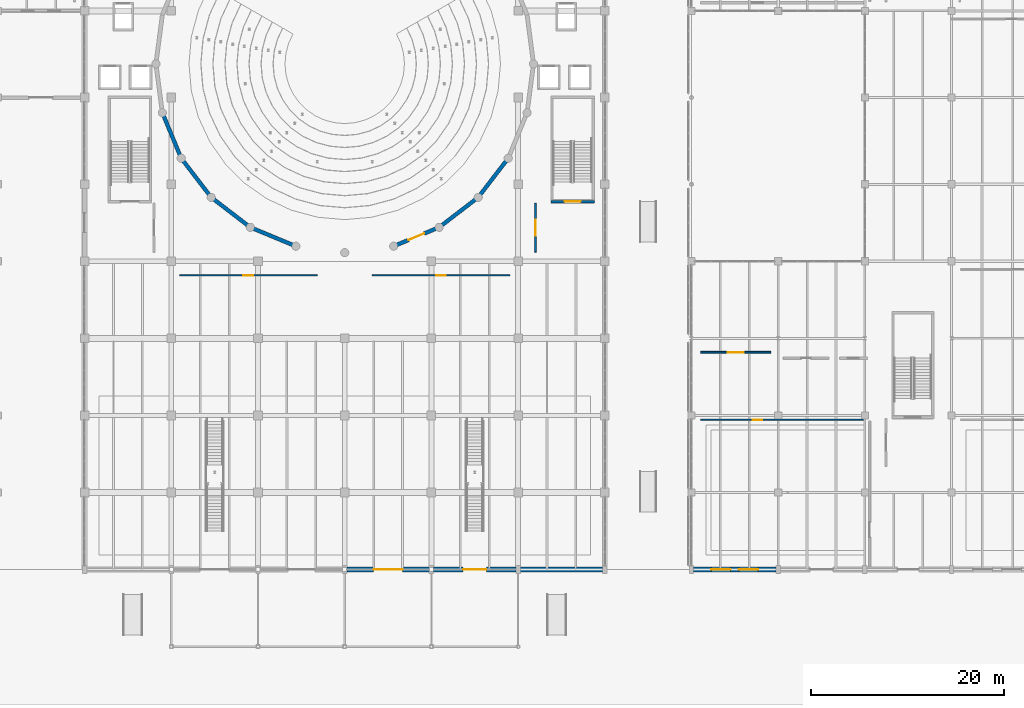
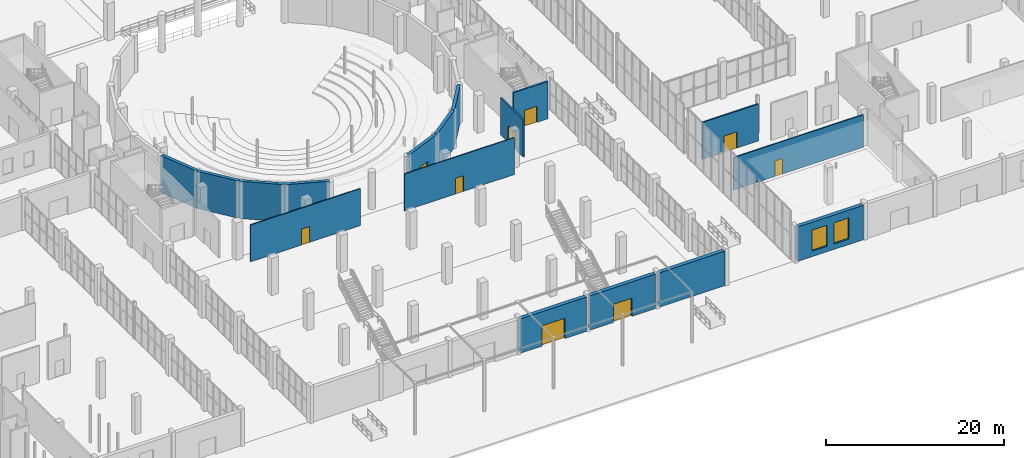
# One storey, part 83 of 103: 17 walls, 9 doors, 2 windows, 11 openings.
"""IFC4 building model written with IfcOpenShell, lengths in metres."""

from ifc_helpers import new_model, si_unit, direction, frame, frame_2d, origin, place, context, subcontext, project, spatial, rectangle, extrude, material, layer, layer_set, type_object, element, fill, save


model = new_model("IFC4")

# Units and contexts
model_context = context("Model", 3, precision=1e-05, world=origin(), true_north=direction((0.0, 1.0)))
body_context = subcontext(model_context, "Body", "Model", "MODEL_VIEW")
ifc_project = project(units=[si_unit("LENGTHUNIT", "METRE"), si_unit("AREAUNIT", "SQUARE_METRE"), si_unit("VOLUMEUNIT", "CUBIC_METRE"), si_unit("PLANEANGLEUNIT", "RADIAN"), si_unit("MASSUNIT", "GRAM", prefix="KILO")], contexts=[model_context])

# Site, building, storey
site_placement = place(None, origin())
site = spatial("IfcSite", under=ifc_project, at=site_placement, CompositionType="ELEMENT")
building_placement = place(site_placement, origin())
building = spatial("IfcBuilding", under=site, at=building_placement, Name="Marnock Terrace Opera House", CompositionType="ELEMENT")
storey_placement = place(building_placement, origin())
storey = spatial("IfcBuildingStorey", under=building, at=storey_placement, Name="L00", CompositionType="ELEMENT", Elevation=0.0)

# Wall, opening, door
ifc_material_1 = material(Name="Carey Gully rusticated stone masonry", Category="masonry")
ifc_layer_1 = layer(ifc_material_1, 0.47998046875)
ifc_layer_set_1 = layer_set([ifc_layer_1], Name="Carey Gully rusticated stone masonry")
wall_type_1 = type_object("IfcWallType", Name="EW-BASE-480", PredefinedType="SOLIDWALL", material=ifc_layer_set_1)
wall_1_placement = place(storey_placement, frame((90.779052734375, 8.0, 0.0), z_axis=(0.0, 0.0, 1.0), x_axis=(-1.0, 0.0, 0.0)))
wall_1 = element("IfcWall", 1, at=wall_1_placement, inside=storey, type_object=wall_type_1, Name="L00 Grand Hall south sandstone arcade bay 4", PredefinedType="SOLIDWALL", context=body_context, shape_type="SweptSolid", body=[
    extrude(rectangle(XDim=8.55810546875, YDim=0.47998046875, at=frame_2d((4.279052734375, 0.0))), origin(), (0.0, 0.0, 1.0), 4.7314453125),
])
opening_1_placement = place(wall_1_placement, frame((2.779052734375, 0.0, 0.0)))
opening_1 = element("IfcOpeningElement", 2, at=opening_1_placement, cuts=wall_1, Name="Opening ED-03", PredefinedType="OPENING", context=body_context, shape_type="SweptSolid", body=[
    extrude(rectangle(XDim=3.0, YDim=2.800048828125, at=frame_2d((1.5, 1.39990234375))), frame((0.0, 0.25, 0.0), z_axis=(0.0, -1.0, 0.0), x_axis=(1.0, 0.0, 0.0)), (0.0, 0.0, 1.0), 0.5),
])
ifc_material_2 = material(Name="Architectural cast bronze")
door_type_1 = type_object("IfcDoorType", Name="DT-PORTAL-3000", OperationType="NOTDEFINED", PredefinedType="DOOR", material=ifc_material_2)
door_1_placement = place(opening_1_placement, origin())
door_1 = element("IfcDoor", 3, at=door_1_placement, inside=storey, type_object=door_type_1, Name="Exterior door ED-03", OperationType="DOUBLE_DOOR_SINGLE_SWING", OverallHeight=2.800048828125, OverallWidth=3.0, PredefinedType="DOOR", context=body_context, shape_type="SweptSolid", body=[
    extrude(rectangle(XDim=3.0, YDim=2.800048828125, at=frame_2d((1.5, 1.39990234375))), frame((0.0, 0.02490234375, 0.0), z_axis=(0.0, -1.0, 0.0), x_axis=(1.0, 0.0, 0.0)), (0.0, 0.0, 1.0), 0.050048828125),
])
fill(opening_1, door_1)

wall_2_placement = place(storey_placement, frame((99.779052734375, 8.0, 0.0), z_axis=(0.0, 0.0, 1.0), x_axis=(-1.0, 0.0, 0.0)))
wall_2 = element("IfcWall", 4, at=wall_2_placement, inside=storey, type_object=wall_type_1, Name="L00 Grand Hall south sandstone arcade bay 5", PredefinedType="SOLIDWALL", context=body_context, shape_type="SweptSolid", body=[
    extrude(rectangle(XDim=8.55810546875, YDim=0.47998046875, at=frame_2d((4.279052734375, 0.0))), origin(), (0.0, 0.0, 1.0), 4.7314453125),
])
opening_2_placement = place(wall_2_placement, frame((3.0791015625, 0.0, 0.0)))
opening_2 = element("IfcOpeningElement", 5, at=opening_2_placement, cuts=wall_2, Name="Opening ED-04", PredefinedType="OPENING", context=body_context, shape_type="SweptSolid", body=[
    extrude(rectangle(XDim=2.39990234375, YDim=2.5, at=frame_2d((1.199951171875, 1.25))), frame((0.0, 0.25, 0.0), z_axis=(0.0, -1.0, 0.0), x_axis=(1.0, 0.0, 0.0)), (0.0, 0.0, 1.0), 0.5),
])
ifc_material_3 = material(Name="Anodised architectural bronze aluminium framing", Category="aluminium")
door_type_2 = type_object("IfcDoorType", Name="DT-EXIT-2400", OperationType="NOTDEFINED", PredefinedType="DOOR", material=ifc_material_3)
door_2_placement = place(opening_2_placement, origin())
door_2 = element("IfcDoor", 6, at=door_2_placement, inside=storey, type_object=door_type_2, Name="Exterior door ED-04", OperationType="DOUBLE_DOOR_SINGLE_SWING", OverallHeight=2.5, OverallWidth=2.39990234375, PredefinedType="DOOR", context=body_context, shape_type="SweptSolid", body=[
    extrude(rectangle(XDim=2.39990234375, YDim=2.5, at=frame_2d((1.199951171875, 1.25))), frame((0.0, 0.02490234375, 0.0), z_axis=(0.0, -1.0, 0.0), x_axis=(1.0, 0.0, 0.0)), (0.0, 0.0, 1.0), 0.050048828125),
])
fill(opening_2, door_2)

# Wall
wall_3_placement = place(storey_placement, frame((100.220947265625, 8.0, 0.0), z_axis=(0.0, 0.0, 1.0), x_axis=(1.0, 0.0, 0.0)))
element("IfcWall", 7, at=wall_3_placement, inside=storey, type_object=wall_type_1, Name="L00 Grand Hall south sandstone arcade bay 6", PredefinedType="SOLIDWALL", context=body_context, shape_type="SweptSolid", body=[
    extrude(rectangle(XDim=8.55810546875, YDim=0.47998046875, at=frame_2d((4.279052734375, 0.0))), origin(), (0.0, 0.0, 1.0), 4.7314453125),
])

# Wall, openings, windows
wall_4_placement = place(storey_placement, frame((118.220947265625, 8.0, 0.0), z_axis=(0.0, 0.0, 1.0), x_axis=(1.0, 0.0, 0.0)))
wall_4 = element("IfcWall", 8, at=wall_4_placement, inside=storey, type_object=wall_type_1, Name="L00 Volume 5 south sandstone facade 1", PredefinedType="SOLIDWALL", context=body_context, shape_type="SweptSolid", body=[
    extrude(rectangle(XDim=8.55810546875, YDim=0.47998046875, at=frame_2d((4.279052734375, 0.0))), origin(), (0.0, 0.0, 1.0), 4.7314453125),
])
opening_3_placement = place(wall_4_placement, frame((1.852783203125, 0.0, 0.75)))
opening_3 = element("IfcOpeningElement", 9, at=opening_3_placement, cuts=wall_4, Name="Opening WT-59", PredefinedType="OPENING", context=body_context, shape_type="SweptSolid", body=[
    extrude(rectangle(XDim=2.0, YDim=2.89990234375, at=frame_2d((1.0, 1.449951171875))), frame((0.0, 0.25, 0.0), z_axis=(0.0, -1.0, 0.0), x_axis=(1.0, 0.0, 0.0)), (0.0, 0.0, 1.0), 0.5),
])
opening_4_placement = place(wall_4_placement, frame((4.705322265625, 0.0, 0.75)))
opening_4 = element("IfcOpeningElement", 10, at=opening_4_placement, cuts=wall_4, Name="Opening WT-59", PredefinedType="OPENING", context=body_context, shape_type="SweptSolid", body=[
    extrude(rectangle(XDim=2.0, YDim=2.89990234375, at=frame_2d((1.0, 1.449951171875))), frame((0.0, 0.25, 0.0), z_axis=(0.0, -1.0, 0.0), x_axis=(1.0, 0.0, 0.0)), (0.0, 0.0, 1.0), 0.5),
])
ifc_material_4 = material(Name="Double-glazed acoustic low-E laminated glass", Category="glass")
window_type = type_object("IfcWindowType", Name="WT-ARCH-2000", PartitioningType="DOUBLE_PANEL_VERTICAL", PredefinedType="WINDOW", material=ifc_material_4)
window_1_placement = place(opening_3_placement, origin())
window_1 = element("IfcWindow", 11, at=window_1_placement, inside=storey, type_object=window_type, Name="L00 facade window EW-V5S-L00-1.1", OverallHeight=2.89990234375, OverallWidth=2.0, PartitioningType="SINGLE_PANEL", PredefinedType="WINDOW", context=body_context, shape_type="SweptSolid", body=[
    extrude(rectangle(XDim=2.0, YDim=2.89990234375, at=frame_2d((1.0, 1.449951171875))), frame((0.0, 0.030029296875, 0.0), z_axis=(0.0, -1.0, 0.0), x_axis=(1.0, 0.0, 0.0)), (0.0, 0.0, 1.0), 0.06005859375),
])
fill(opening_3, window_1)
window_2_placement = place(opening_4_placement, origin())
window_2 = element("IfcWindow", 12, at=window_2_placement, inside=storey, type_object=window_type, Name="L00 facade window EW-V5S-L00-1.2", OverallHeight=2.89990234375, OverallWidth=2.0, PartitioningType="SINGLE_PANEL", PredefinedType="WINDOW", context=body_context, shape_type="SweptSolid", body=[
    extrude(rectangle(XDim=2.0, YDim=2.89990234375, at=frame_2d((1.0, 1.449951171875))), frame((0.0, 0.030029296875, 0.0), z_axis=(0.0, -1.0, 0.0), x_axis=(1.0, 0.0, 0.0)), (0.0, 0.0, 1.0), 0.06005859375),
])
fill(opening_4, window_2)

# Wall, opening, door
ifc_material_5 = material(Name="Rendered acoustic concrete blockwork", Category="masonry")
ifc_layer_2 = layer(ifc_material_5, 0.18505859375)
ifc_layer_set_2 = layer_set([ifc_layer_2], Name="Rendered acoustic concrete blockwork")
wall_type_2 = type_object("IfcWallType", Name="IW-FIRE-185", PredefinedType="PARTITIONING", material=ifc_layer_set_2)
wall_5_placement = place(storey_placement, frame((101.800048828125, 40.949951171875, 0.0), z_axis=(0.0, 0.0, 1.0), x_axis=(0.0, 1.0, 0.0)))
wall_5 = element("IfcWall", 13, at=wall_5_placement, inside=storey, type_object=wall_type_2, Name="L00 C2 fire-rated lift and stair lobby wall", PredefinedType="PARTITIONING", context=body_context, shape_type="SweptSolid", body=[
    extrude(rectangle(XDim=5.10009765625, YDim=0.18505859375, at=frame_2d((2.550048828125, 0.0))), origin(), (0.0, 0.0, 1.0), 5.070068359375),
])
opening_5_placement = place(wall_5_placement, frame((1.7099609375, 0.0, 0.0)))
opening_5 = element("IfcOpeningElement", 14, at=opening_5_placement, cuts=wall_5, Name="Opening FD-C2-L00", PredefinedType="OPENING", context=body_context, shape_type="SweptSolid", body=[
    extrude(rectangle(XDim=1.679931640625, YDim=2.25, at=frame_2d((0.83984375, 1.125))), frame((0.0, 0.1025390625, 0.0), z_axis=(0.0, -1.0, 0.0), x_axis=(1.0, 0.0, 0.0)), (0.0, 0.0, 1.0), 0.205078125),
])
ifc_material_6 = material(Name="Fire-rated acoustic timber-core door assembly", Category="wood")
door_type_3 = type_object("IfcDoorType", Name="DT-LOBBY-1680", OperationType="NOTDEFINED", PredefinedType="DOOR", material=ifc_material_6)
door_3_placement = place(opening_5_placement, origin())
door_3 = element("IfcDoor", 15, at=door_3_placement, inside=storey, type_object=door_type_3, Name="L00 C2 lobby self-closing smoke door", OperationType="SINGLE_SWING_RIGHT", OverallHeight=2.25, OverallWidth=1.679931640625, PredefinedType="DOOR", context=body_context, shape_type="SweptSolid", body=[
    extrude(rectangle(XDim=1.679931640625, YDim=2.25, at=frame_2d((0.83984375, 1.125))), frame((0.0, 0.02490234375, 0.0), z_axis=(0.0, -1.0, 0.0), x_axis=(1.0, 0.0, 0.0)), (0.0, 0.0, 1.0), 0.050048828125),
])
fill(opening_5, door_3)

wall_6_placement = place(storey_placement, frame((118.949951171875, 30.550048828125, 0.0), z_axis=(0.0, 0.0, 1.0), x_axis=(1.0, 0.0, 0.0)))
wall_6 = element("IfcWall", 16, at=wall_6_placement, inside=storey, type_object=wall_type_2, Name="L00 Fire Control Centre acoustic partition wall", PredefinedType="PARTITIONING", context=body_context, shape_type="SweptSolid", body=[
    extrude(rectangle(XDim=7.300048828125, YDim=0.18505859375, at=frame_2d((3.64990234375, 0.0))), origin(), (0.0, 0.0, 1.0), 5.070068359375),
])
opening_6_placement = place(wall_6_placement, frame((2.800048828125, 0.0, 0.0)))
opening_6 = element("IfcOpeningElement", 17, at=opening_6_placement, cuts=wall_6, Name="Opening D-L00-25", PredefinedType="OPENING", context=body_context, shape_type="SweptSolid", body=[
    extrude(rectangle(XDim=1.699951171875, YDim=2.25, at=frame_2d((0.85009765625, 1.125))), frame((0.0, 0.1025390625, 0.0), z_axis=(0.0, -1.0, 0.0), x_axis=(1.0, 0.0, 0.0)), (0.0, 0.0, 1.0), 0.205078125),
])
door_type_4 = type_object("IfcDoorType", Name="DT-PLANT-1700", OperationType="NOTDEFINED", PredefinedType="DOOR", material=ifc_material_6)
door_4_placement = place(opening_6_placement, origin())
door_4 = element("IfcDoor", 18, at=door_4_placement, inside=storey, type_object=door_type_4, Name="L00 Fire Control Centre entrance door", OperationType="SINGLE_SWING_RIGHT", OverallHeight=2.25, OverallWidth=1.699951171875, PredefinedType="DOOR", context=body_context, shape_type="SweptSolid", body=[
    extrude(rectangle(XDim=1.699951171875, YDim=2.25, at=frame_2d((0.85009765625, 1.125))), frame((0.0, 0.02490234375, 0.0), z_axis=(0.0, -1.0, 0.0), x_axis=(1.0, 0.0, 0.0)), (0.0, 0.0, 1.0), 0.050048828125),
])
fill(opening_6, door_4)

ifc_material_7 = material(Name="Double-stud acoustic plasterboard with mineral-wool infill")
ifc_layer_3 = layer(ifc_material_7, 0.1279296875)
ifc_layer_set_3 = layer_set([ifc_layer_3], Name="Double-stud acoustic plasterboard with mineral-wool infill")
wall_type_3 = type_object("IfcWallType", Name="IW-PART-128", PredefinedType="PARTITIONING", material=ifc_layer_set_3)
wall_7_placement = place(storey_placement, frame((84.85009765625, 38.550048828125, 0.0), z_axis=(0.0, 0.0, 1.0), x_axis=(1.0, 0.0, 0.0)))
wall_7 = element("IfcWall", 19, at=wall_7_placement, inside=storey, type_object=wall_type_3, Name="L00 Main Cloakroom acoustic partition wall", PredefinedType="PARTITIONING", context=body_context, shape_type="SweptSolid", body=[
    extrude(rectangle(XDim=14.2998046875, YDim=0.1279296875, at=frame_2d((7.14990234375, 0.0))), origin(), (0.0, 0.0, 1.0), 5.070068359375),
])
opening_7_placement = place(wall_7_placement, frame((6.64990234375, 0.0, 0.0)))
opening_7 = element("IfcOpeningElement", 20, at=opening_7_placement, cuts=wall_7, Name="Opening D-L00-03", PredefinedType="OPENING", context=body_context, shape_type="SweptSolid", body=[
    extrude(rectangle(XDim=1.0, YDim=2.14990234375, at=frame_2d((0.5, 1.074951171875))), frame((0.0, 0.073974609375, 0.0), z_axis=(0.0, -1.0, 0.0), x_axis=(1.0, 0.0, 0.0)), (0.0, 0.0, 1.0), 0.14794921875),
])
ifc_material_8 = material(Name="Solid-core Tasmanian oak acoustic door leaf")
door_type_5 = type_object("IfcDoorType", Name="DT-ROOM-1000", OperationType="NOTDEFINED", PredefinedType="DOOR", material=ifc_material_8)
door_5_placement = place(opening_7_placement, origin())
door_5 = element("IfcDoor", 21, at=door_5_placement, inside=storey, type_object=door_type_5, Name="L00 Main Cloakroom entrance door", OperationType="SINGLE_SWING_RIGHT", OverallHeight=2.14990234375, OverallWidth=1.0, PredefinedType="DOOR", context=body_context, shape_type="SweptSolid", body=[
    extrude(rectangle(XDim=1.0, YDim=2.14990234375, at=frame_2d((0.5, 1.074951171875))), frame((0.0, 0.02490234375, 0.0), z_axis=(0.0, -1.0, 0.0), x_axis=(1.0, 0.0, 0.0)), (0.0, 0.0, 1.0), 0.050048828125),
])
fill(opening_7, door_5)

wall_8_placement = place(storey_placement, frame((118.949951171875, 23.550048828125, 0.0), z_axis=(0.0, 0.0, 1.0), x_axis=(1.0, 0.0, 0.0)))
wall_8 = element("IfcWall", 22, at=wall_8_placement, inside=storey, type_object=wall_type_3, Name="L00 Lyric Cafe acoustic partition wall", PredefinedType="PARTITIONING", context=body_context, shape_type="SweptSolid", body=[
    extrude(rectangle(XDim=16.900146484375, YDim=0.1279296875, at=frame_2d((8.4501953125, 0.0))), origin(), (0.0, 0.0, 1.0), 4.478515625),
])
opening_8_placement = place(wall_8_placement, frame((5.4150390625, 0.0, 0.0)))
opening_8 = element("IfcOpeningElement", 23, at=opening_8_placement, cuts=wall_8, Name="Opening D-L00-23", PredefinedType="OPENING", context=body_context, shape_type="SweptSolid", body=[
    extrude(rectangle(XDim=1.0, YDim=2.14990234375, at=frame_2d((0.5, 1.074951171875))), frame((0.0, 0.073974609375, 0.0), z_axis=(0.0, -1.0, 0.0), x_axis=(1.0, 0.0, 0.0)), (0.0, 0.0, 1.0), 0.14794921875),
])
door_6_placement = place(opening_8_placement, origin())
door_6 = element("IfcDoor", 24, at=door_6_placement, inside=storey, type_object=door_type_5, Name="L00 Lyric Cafe entrance door", OperationType="SINGLE_SWING_RIGHT", OverallHeight=2.14990234375, OverallWidth=1.0, PredefinedType="DOOR", context=body_context, shape_type="SweptSolid", body=[
    extrude(rectangle(XDim=1.0, YDim=2.14990234375, at=frame_2d((0.5, 1.074951171875))), frame((0.0, 0.02490234375, 0.0), z_axis=(0.0, -1.0, 0.0), x_axis=(1.0, 0.0, 0.0)), (0.0, 0.0, 1.0), 0.050048828125),
])
fill(opening_8, door_6)

ifc_layer_4 = layer(ifc_material_7, 0.137939453125)
ifc_layer_set_4 = layer_set([ifc_layer_4], Name="Double-stud acoustic plasterboard with mineral-wool infill")
wall_type_4 = type_object("IfcWallType", Name="IW-PART-138", PredefinedType="PARTITIONING", material=ifc_layer_set_4)
wall_9_placement = place(storey_placement, frame((64.85009765625, 38.550048828125, 0.0), z_axis=(0.0, 0.0, 1.0), x_axis=(1.0, 0.0, 0.0)))
wall_9 = element("IfcWall", 25, at=wall_9_placement, inside=storey, type_object=wall_type_4, Name="L00 Box Office and Ticketing Hall acoustic partition wall", PredefinedType="PARTITIONING", context=body_context, shape_type="SweptSolid", body=[
    extrude(rectangle(XDim=14.2998046875, YDim=0.137939453125, at=frame_2d((7.14990234375, 0.0))), origin(), (0.0, 0.0, 1.0), 5.070068359375),
])
opening_9_placement = place(wall_9_placement, frame((6.639892578125, 0.0, 0.0)))
opening_9 = element("IfcOpeningElement", 26, at=opening_9_placement, cuts=wall_9, Name="Opening D-L00-02", PredefinedType="OPENING", context=body_context, shape_type="SweptSolid", body=[
    extrude(rectangle(XDim=1.02001953125, YDim=2.179931640625, at=frame_2d((0.510009765625, 1.08984375))), frame((0.0, 0.078857421875, 0.0), z_axis=(0.0, -1.0, 0.0), x_axis=(1.0, 0.0, 0.0)), (0.0, 0.0, 1.0), 0.157958984375),
])
door_type_6 = type_object("IfcDoorType", Name="DT-SUITE-1020", OperationType="NOTDEFINED", PredefinedType="DOOR", material=ifc_material_8)
door_7_placement = place(opening_9_placement, origin())
door_7 = element("IfcDoor", 27, at=door_7_placement, inside=storey, type_object=door_type_6, Name="L00 Box Office and Ticketing Hall entrance door", OperationType="SINGLE_SWING_LEFT", OverallHeight=2.179931640625, OverallWidth=1.02001953125, PredefinedType="DOOR", context=body_context, shape_type="SweptSolid", body=[
    extrude(rectangle(XDim=1.02001953125, YDim=2.179931640625, at=frame_2d((0.510009765625, 1.08984375))), frame((0.0, 0.02490234375, 0.0), z_axis=(0.0, -1.0, 0.0), x_axis=(1.0, 0.0, 0.0)), (0.0, 0.0, 1.0), 0.050048828125),
])
fill(opening_9, door_7)

ifc_material_9 = material(Name="Concrete N40 (f'c = 40 MPa)", Category="concrete")
ifc_layer_5 = layer(ifc_material_9, 0.25)
ifc_layer_set_5 = layer_set([ifc_layer_5], Name="Concrete N40 (f'c = 40 MPa)")
wall_type_5 = type_object("IfcWallType", Name="SW-CORE-250", PredefinedType="SHEAR", material=ifc_layer_set_5)
wall_10_placement = place(storey_placement, frame((103.39501953125, 46.199951171875, 0.0), z_axis=(0.0, 0.0, 1.0), x_axis=(1.0, 0.0, 0.0)))
wall_10 = element("IfcWall", 28, at=wall_10_placement, inside=storey, type_object=wall_type_5, Name="L00 Core C2 FRL 120/120/120 shear wall S", PredefinedType="SHEAR", context=body_context, shape_type="SweptSolid", body=[
    extrude(rectangle(XDim=4.530029296875, YDim=0.25, at=frame_2d((2.26513671875, 0.0))), origin(), (0.0, 0.0, 1.0), 5.1201171875),
])
opening_10_placement = place(wall_10_placement, frame((1.43994140625, 0.0, 0.0)))
opening_10 = element("IfcOpeningElement", 29, at=opening_10_placement, cuts=wall_10, Name="Opening SD-C2-L00", PredefinedType="OPENING", context=body_context, shape_type="SweptSolid", body=[
    extrude(rectangle(XDim=1.64990234375, YDim=2.219970703125, at=frame_2d((0.824951171875, 1.10986328125))), frame((0.0, 0.135009765625, 0.0), z_axis=(0.0, -1.0, 0.0), x_axis=(1.0, 0.0, 0.0)), (0.0, 0.0, 1.0), 0.27001953125),
])
door_type_7 = type_object("IfcDoorType", Name="DT-STAIR-1650", OperationType="NOTDEFINED", PredefinedType="DOOR", material=ifc_material_6)
door_8_placement = place(opening_10_placement, origin())
door_8 = element("IfcDoor", 30, at=door_8_placement, inside=storey, type_object=door_type_7, Name="L00 Stair ST-02 fire-isolated exit door", OperationType="SINGLE_SWING_LEFT", OverallHeight=2.219970703125, OverallWidth=1.64990234375, PredefinedType="DOOR", context=body_context, shape_type="SweptSolid", body=[
    extrude(rectangle(XDim=1.64990234375, YDim=2.219970703125, at=frame_2d((0.824951171875, 1.10986328125))), frame((0.0, 0.02490234375, 0.0), z_axis=(0.0, -1.0, 0.0), x_axis=(1.0, 0.0, 0.0)), (0.0, 0.0, 1.0), 0.050048828125),
])
fill(opening_10, door_8)

# Walls
ifc_material_10 = material(Name="Concrete N50 (f'c = 50 MPa)", Category="concrete")
ifc_layer_6 = layer(ifc_material_10, 0.39990234375)
ifc_layer_set_6 = layer_set([ifc_layer_6], Name="Concrete N50 (f'c = 50 MPa)")
wall_type_6 = type_object("IfcWallType", Name="SW-DRUM-400", PredefinedType="SHEAR", material=ifc_layer_set_6)
for number, where, z_axis, x_axis, name in (
    (31, (63.068115234375, 55.427001953125, 0.0), (0.0, 0.0, 1.0), (0.382642581018, -0.923896452635, 0.0), "L00 cylindrical auditorium drum shear wall 14"),
    (32, (65.02587890625, 50.699951171875, 0.0), (0.0, 0.0, 1.0), (0.608857194409, -0.793279847731, 0.0), "L00 cylindrical auditorium drum shear wall 15"),
    (33, (68.14111328125, 46.64111328125, 0.0), (0.0, 0.0, 1.0), (0.793279847731, -0.608857194409, 0.0), "L00 cylindrical auditorium drum shear wall 16"),
    (34, (72.199951171875, 43.52587890625, 0.0), (0.0, 0.0, 1.0), (0.923896452635, -0.382642581018, 0.0), "L00 cylindrical auditorium drum shear wall 17"),
):
    element("IfcWall", number, at=place(storey_placement, frame(where, z_axis=z_axis, x_axis=x_axis)), inside=storey, type_object=wall_type_6, Name=name, PredefinedType="SHEAR", context=body_context, shape_type="SweptSolid", body=[
        extrude(rectangle(XDim=5.116455078125, YDim=0.39990234375, at=frame_2d((2.55810546875, 0.0))), origin(), (0.0, 0.0, 1.0), 5.1201171875),
    ])

# Wall, opening, door
wall_11_placement = place(storey_placement, frame((87.072998046875, 41.568115234375, 0.0), z_axis=(0.0, 0.0, 1.0), x_axis=(0.923896452635, 0.382642581018, 0.0)))
wall_11 = element("IfcWall", 35, at=wall_11_placement, inside=storey, type_object=wall_type_6, Name="L00 cylindrical auditorium drum shear wall 20", PredefinedType="SHEAR", context=body_context, shape_type="SweptSolid", body=[
    extrude(rectangle(XDim=5.116455078125, YDim=0.39990234375, at=frame_2d((2.55810546875, 0.0))), origin(), (0.0, 0.0, 1.0), 5.1201171875),
])
opening_11_placement = place(wall_11_placement, frame((1.68310546875, 0.0, 0.0)))
opening_11 = element("IfcOpeningElement", 36, at=opening_11_placement, cuts=wall_11, Name="Opening AD-L00-19", PredefinedType="OPENING", context=body_context, shape_type="SweptSolid", body=[
    extrude(rectangle(XDim=1.75, YDim=2.35009765625, at=frame_2d((0.875, 1.175048828125))), frame((0.0, 0.2099609375, 0.0), z_axis=(0.0, -1.0, 0.0), x_axis=(1.0, 0.0, 0.0)), (0.0, 0.0, 1.0), 0.419921875),
])
door_type_8 = type_object("IfcDoorType", Name="DT-AUD-1750", OperationType="NOTDEFINED", PredefinedType="DOOR", material=ifc_material_8)
door_9_placement = place(opening_11_placement, origin())
door_9 = element("IfcDoor", 37, at=door_9_placement, inside=storey, type_object=door_type_8, Name="L00 Auditorium sound-lock double door 19", OperationType="DOUBLE_DOOR_SINGLE_SWING", OverallHeight=2.35009765625, OverallWidth=1.75, PredefinedType="DOOR", context=body_context, shape_type="SweptSolid", body=[
    extrude(rectangle(XDim=1.75, YDim=2.35009765625, at=frame_2d((0.875, 1.175048828125))), frame((0.0, 0.02490234375, 0.0), z_axis=(0.0, -1.0, 0.0), x_axis=(1.0, 0.0, 0.0)), (0.0, 0.0, 1.0), 0.050048828125),
])
fill(opening_11, door_9)

# Walls
for number, where, z_axis, x_axis, name in (
    (38, (91.800048828125, 43.52587890625, 0.0), (0.0, 0.0, 1.0), (0.793279847731, 0.608857194409, 0.0), "L00 cylindrical auditorium drum shear wall 21"),
    (39, (95.85888671875, 46.64111328125, 0.0), (0.0, 0.0, 1.0), (0.608857194409, 0.793279847731, 0.0), "L00 cylindrical auditorium drum shear wall 22"),
):
    element("IfcWall", number, at=place(storey_placement, frame(where, z_axis=z_axis, x_axis=x_axis)), inside=storey, type_object=wall_type_6, Name=name, PredefinedType="SHEAR", context=body_context, shape_type="SweptSolid", body=[
        extrude(rectangle(XDim=5.116455078125, YDim=0.39990234375, at=frame_2d((2.55810546875, 0.0))), origin(), (0.0, 0.0, 1.0), 5.1201171875),
    ])

save(model, "model.ifc")
